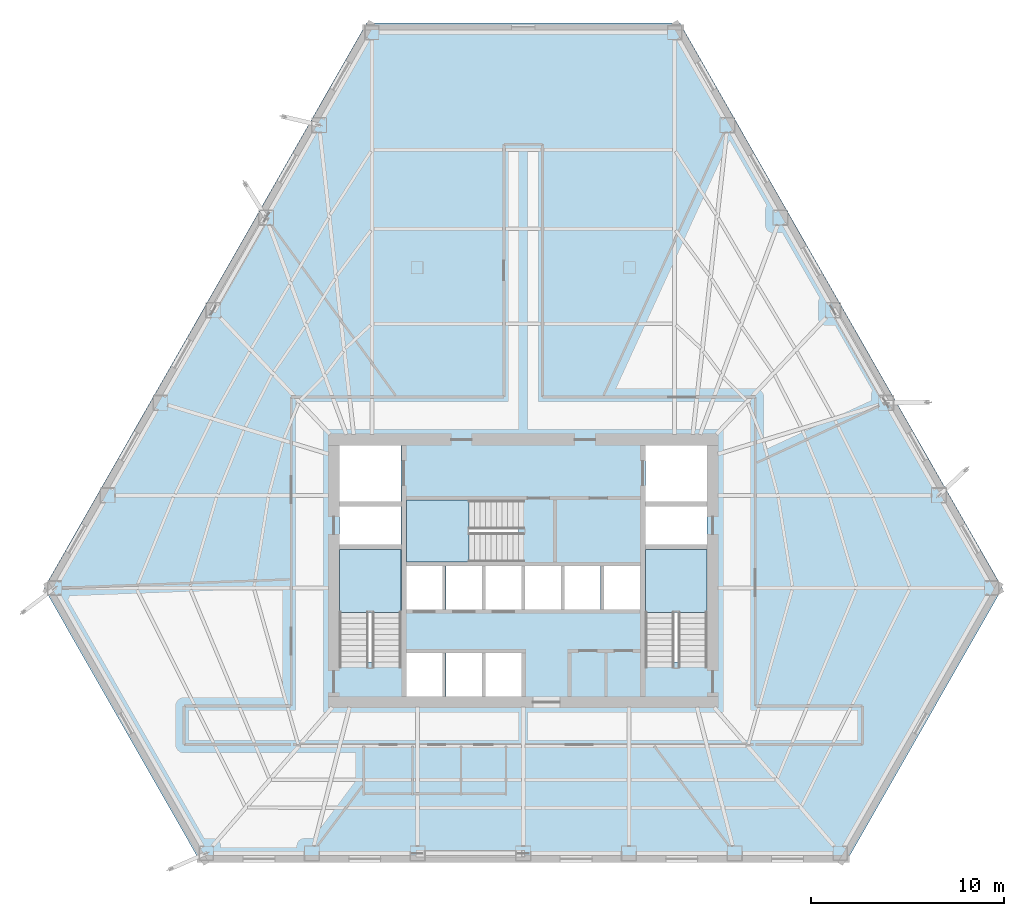
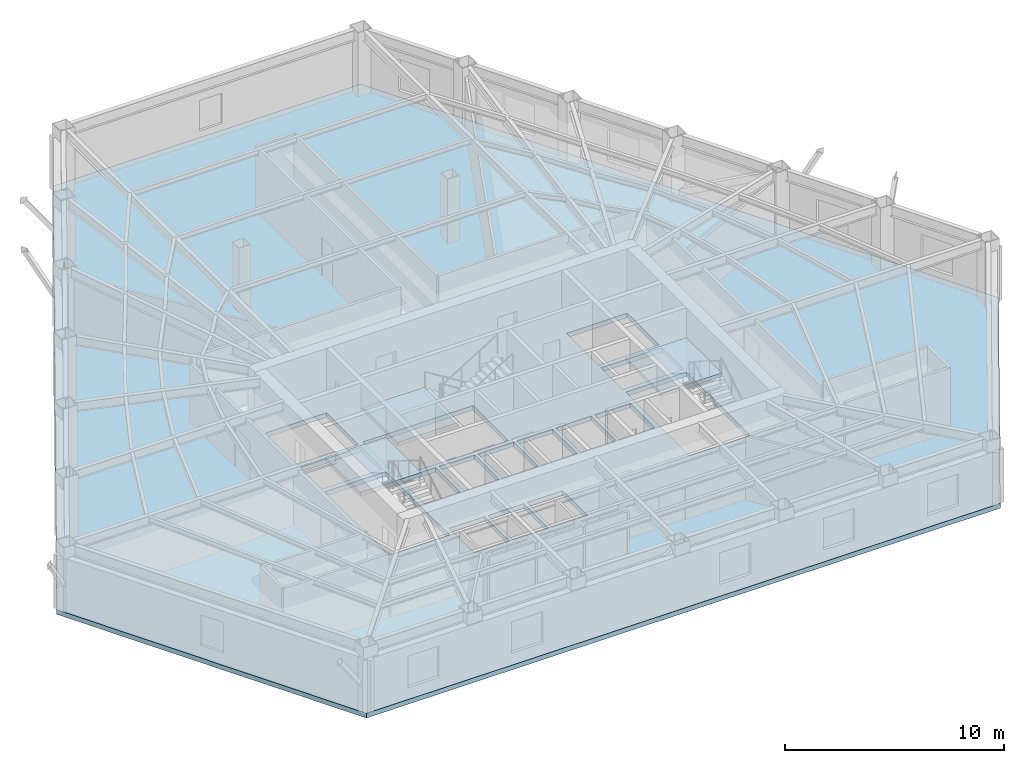
# One storey, part 3 of 12: 4 slabs, 3 elements without a shape of their own.
"""IFC4 building model written with IfcOpenShell, lengths in metres."""

from ifc_helpers import new_model, si_unit, direction, frame, origin, place, context, subcontext, project, spatial, polyline, outline, extrude, material, layer, layer_set, type_object, element, aggregate, save


model = new_model("IFC4")

# Units and contexts
model_context = context("Model", 3, precision=1e-05, world=origin(), true_north=direction((0.0, 1.0)))
body_context = subcontext(model_context, "Body", "Model", "MODEL_VIEW")
ifc_project = project(units=[si_unit("LENGTHUNIT", "METRE"), si_unit("AREAUNIT", "SQUARE_METRE"), si_unit("VOLUMEUNIT", "CUBIC_METRE"), si_unit("PLANEANGLEUNIT", "RADIAN"), si_unit("MASSUNIT", "GRAM", prefix="KILO")], contexts=[model_context])

# Site, building, storey
site_placement = place(None, origin())
site = spatial("IfcSite", under=ifc_project, at=site_placement, CompositionType="ELEMENT")
building_placement = place(site_placement, origin())
building = spatial("IfcBuilding", under=site, at=building_placement, Name="Kavelnor Concourse Tower", CompositionType="ELEMENT")
storey_placement = place(building_placement, frame((0.0, 0.0, 29.10009765625)))
storey = spatial("IfcBuildingStorey", under=building, at=storey_placement, Name="L07", CompositionType="ELEMENT", Elevation=29.10009765625)

# Stair, slab
ifc_material = material(Name="Concrete C40/50", Category="concrete")
stair_type = type_object("IfcStairType", Name="STR-CORE-1500", PredefinedType="HALF_TURN_STAIR", material=ifc_material)
stair_1_placement = place(storey_placement, origin())
stair_1 = element("IfcStair", 1, at=stair_1_placement, inside=storey, type_object=stair_type, Name="L07 ST1", PredefinedType="HALF_TURN_STAIR")
ifc_layer_1 = layer(ifc_material, 0.199951171875, Name="Concrete C40/50")
ifc_layer_set_1 = layer_set([ifc_layer_1], Name="Concrete C40/50")
slab_type_1 = type_object("IfcSlabType", Name="SLB-LANDING-200", PredefinedType="LANDING", material=ifc_layer_set_1)
slab_1_placement = place(storey_placement, frame((0.0, 0.0, 1.724853515625)))
slab_1 = element("IfcSlab", 2, at=slab_1_placement, type_object=slab_type_1, Name="ST1 landing 1", PredefinedType="LANDING", context=body_context, shape_type="SweptSolid", body=[
    extrude(outline(polyline([(31.679931640625, 13.949951171875), (31.679931640625, 17.199951171875), (28.47998046875, 17.199951171875), (28.47998046875, 13.949951171875), (31.679931640625, 13.949951171875)])), origin(), (0.0, 0.0, 1.0), 0.199951171875),
])
aggregate(stair_1, [slab_1])

stair_2_placement = place(storey_placement, origin())
stair_2 = element("IfcStair", 3, at=stair_2_placement, inside=storey, type_object=stair_type, Name="L07 ST2", PredefinedType="HALF_TURN_STAIR")
slab_2_placement = place(storey_placement, frame((0.0, 0.0, 1.724853515625)))
slab_2 = element("IfcSlab", 4, at=slab_2_placement, type_object=slab_type_1, Name="ST2 landing 1", PredefinedType="LANDING", context=body_context, shape_type="SweptSolid", body=[
    extrude(outline(polyline([(47.52001953125, 13.949951171875), (47.52001953125, 17.199951171875), (44.320068359375, 17.199951171875), (44.320068359375, 13.949951171875), (47.52001953125, 13.949951171875)])), origin(), (0.0, 0.0, 1.0), 0.199951171875),
])
aggregate(stair_2, [slab_2])

stair_3_placement = place(storey_placement, origin())
stair_3 = element("IfcStair", 5, at=stair_3_placement, inside=storey, type_object=stair_type, Name="L07 ST3", PredefinedType="HALF_TURN_STAIR")
slab_3_placement = place(storey_placement, frame((0.0, 0.0, 1.724853515625)))
slab_3 = element("IfcSlab", 6, at=slab_3_placement, type_object=slab_type_1, Name="ST3 landing 1", PredefinedType="LANDING", context=body_context, shape_type="SweptSolid", body=[
    extrude(outline(polyline([(35.18994140625, 19.760009765625), (31.93994140625, 19.760009765625), (31.93994140625, 16.56005859375), (35.18994140625, 16.56005859375), (35.18994140625, 19.760009765625)])), origin(), (0.0, 0.0, 1.0), 0.199951171875),
])
aggregate(stair_3, [slab_3])

# Slab
ifc_layer_2 = layer(ifc_material, 0.260009765625, Name="Concrete C40/50")
ifc_layer_set_2 = layer_set([ifc_layer_2], Name="Concrete C40/50")
slab_type_2 = type_object("IfcSlabType", Name="SLB-OFFICE-260", PredefinedType="FLOOR", material=ifc_layer_set_2)
slab_4_placement = place(storey_placement, frame((0.0, 0.0, -0.260009765625)))
element("IfcSlab", 7, at=slab_4_placement, inside=storey, type_object=slab_type_2, Name="L07 Composite Structural Floor Slab", PredefinedType="FLOOR", context=body_context, shape_type="SweptSolid", body=[
    extrude(outline(polyline([(46.118408203125, 44.46728515625), (29.881591796875, 44.46728515625), (13.179931640625, 15.206298828125), (21.298095703125, 0.98291015625), (54.701904296875, 0.98291015625), (62.820068359375, 15.206298828125), (46.118408203125, 44.46728515625)]), holes=[polyline([(28.47998046875, 11.3798828125), (31.679931640625, 11.3798828125), (31.679931640625, 17.199951171875), (28.47998046875, 17.199951171875), (28.47998046875, 11.3798828125)]), polyline([(44.320068359375, 11.3798828125), (47.52001953125, 11.3798828125), (47.52001953125, 17.199951171875), (44.320068359375, 17.199951171875), (44.320068359375, 11.3798828125)]), polyline([(31.93994140625, 16.56005859375), (37.760009765625, 16.56005859375), (37.760009765625, 19.760009765625), (31.93994140625, 19.760009765625), (31.93994140625, 16.56005859375)]), polyline([(28.47998046875, 19.699951171875), (31.679931640625, 19.699951171875), (31.679931640625, 22.60009765625), (28.47998046875, 22.60009765625), (28.47998046875, 19.699951171875)]), polyline([(44.320068359375, 19.699951171875), (47.52001953125, 19.699951171875), (47.52001953125, 22.60009765625), (44.320068359375, 22.60009765625), (44.320068359375, 19.699951171875)]), polyline([(31.93994140625, 14.10009765625), (33.81005859375, 14.10009765625), (33.81005859375, 16.340087890625), (31.93994140625, 16.340087890625), (31.93994140625, 14.10009765625)]), polyline([(33.989990234375, 14.10009765625), (35.860107421875, 14.10009765625), (35.860107421875, 16.340087890625), (33.989990234375, 16.340087890625), (33.989990234375, 14.10009765625)]), polyline([(36.0400390625, 14.10009765625), (37.909912109375, 14.10009765625), (37.909912109375, 16.340087890625), (36.0400390625, 16.340087890625), (36.0400390625, 14.10009765625)]), polyline([(38.090087890625, 14.10009765625), (39.9599609375, 14.10009765625), (39.9599609375, 16.340087890625), (38.090087890625, 16.340087890625), (38.090087890625, 14.10009765625)]), polyline([(40.139892578125, 14.10009765625), (42.010009765625, 14.10009765625), (42.010009765625, 16.340087890625), (40.139892578125, 16.340087890625), (40.139892578125, 14.10009765625)]), polyline([(42.18994140625, 14.10009765625), (44.06005859375, 14.10009765625), (44.06005859375, 16.340087890625), (42.18994140625, 16.340087890625), (42.18994140625, 14.10009765625)]), polyline([(31.93994140625, 9.60009765625), (33.81005859375, 9.60009765625), (33.81005859375, 11.840087890625), (31.93994140625, 11.840087890625), (31.93994140625, 9.60009765625)]), polyline([(33.989990234375, 9.60009765625), (35.860107421875, 9.60009765625), (35.860107421875, 11.840087890625), (33.989990234375, 11.840087890625), (33.989990234375, 9.60009765625)]), polyline([(36.0400390625, 9.60009765625), (37.909912109375, 9.60009765625), (37.909912109375, 11.840087890625), (36.0400390625, 11.840087890625), (36.0400390625, 9.60009765625)]), polyline([(28.47998046875, 17.4599609375), (31.679931640625, 17.4599609375), (31.679931640625, 19.43994140625), (28.47998046875, 19.43994140625), (28.47998046875, 17.4599609375)]), polyline([(44.320068359375, 17.4599609375), (47.52001953125, 17.4599609375), (47.52001953125, 19.43994140625), (44.320068359375, 19.43994140625), (44.320068359375, 17.4599609375)])]), origin(), (0.0, 0.0, 1.0), 0.260009765625),
])

save(model, "model.ifc")
